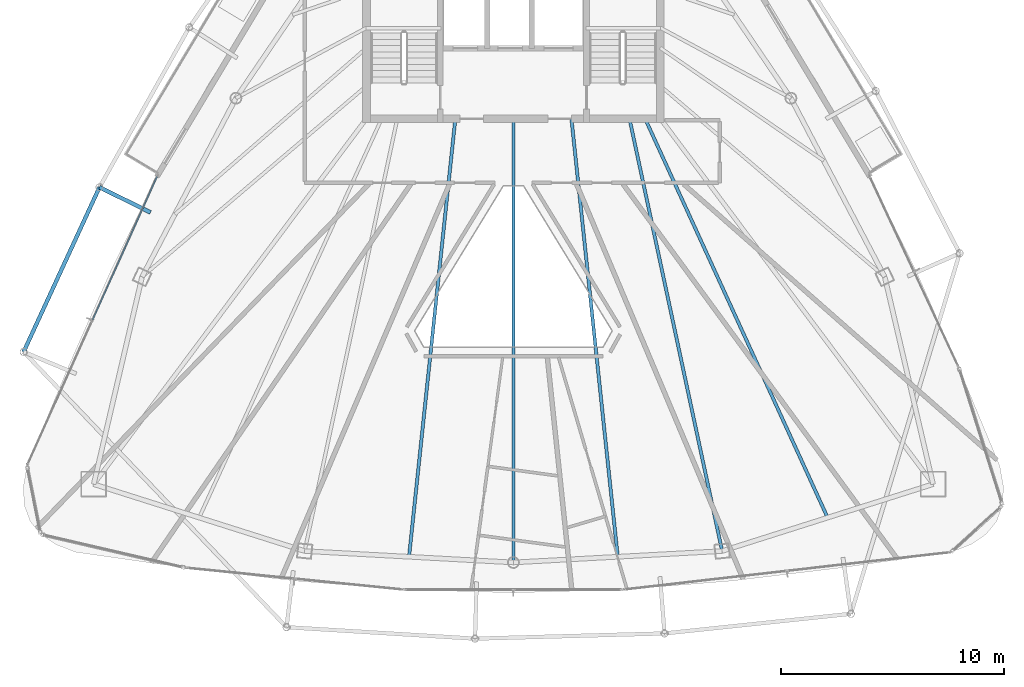
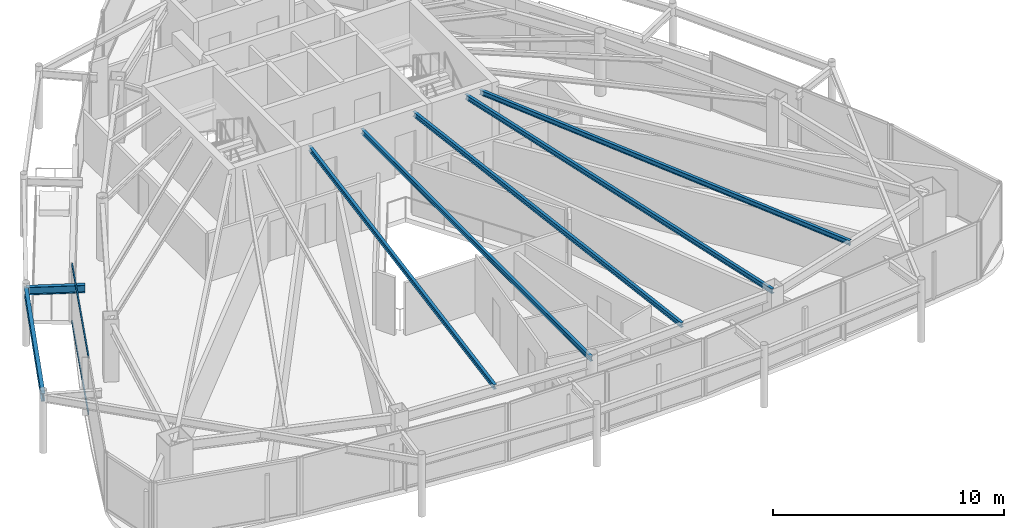
# One storey, part 9 of 28: 7 beams, 2 members, 1 element without a shape of its own.
"""IFC4 building model written with IfcOpenShell, lengths in metres."""

from ifc_helpers import new_model, si_unit, direction, frame, origin, origin_2d, place, context, subcontext, project, spatial, hollow_rectangle, i_section, extrude, material, layer, layer_set, material_profile, profile_set, type_object, element, aggregate, save


model = new_model("IFC4")

# Units and contexts
model_context = context("Model", 3, precision=1e-05, world=origin(), true_north=direction((0.0, 1.0)))
body_context = subcontext(model_context, "Body", "Model", "MODEL_VIEW")
ifc_project = project(units=[si_unit("LENGTHUNIT", "METRE"), si_unit("AREAUNIT", "SQUARE_METRE"), si_unit("VOLUMEUNIT", "CUBIC_METRE"), si_unit("PLANEANGLEUNIT", "RADIAN"), si_unit("MASSUNIT", "GRAM", prefix="KILO")], contexts=[model_context])

# Site, building, storey
site_placement = place(None, origin())
site = spatial("IfcSite", under=ifc_project, at=site_placement, CompositionType="ELEMENT")
building_placement = place(site_placement, origin())
building = spatial("IfcBuilding", under=site, at=building_placement, Name="Orvanel Arch Residences", CompositionType="ELEMENT")
storey_placement = place(building_placement, frame((0.0, 0.0, 263.449951171875)))
storey = spatial("IfcBuildingStorey", under=building, at=storey_placement, Name="L75", CompositionType="ELEMENT", Elevation=263.449951171875)

# Beams
ifc_material_1 = material(Name="Structural steel AS/NZS 3679.1 Grade 300 (300 MPa)", Category="steel")
ifc_material_profile_1 = material_profile(ifc_material_1, i_section(OverallWidth=0.14599609375, OverallDepth=0.251953125, WebThickness=0.006103515625, FlangeThickness=0.008544921875, at=origin_2d()), Name="250UB31.4")
ifc_profile_set_1 = profile_set([ifc_material_profile_1], Name="Structural steel AS/NZS 3679.1 Grade 300 (300 MPa)")
beam_type_1 = type_object("IfcBeamType", Name="BJ-250UB", PredefinedType="JOIST", material=ifc_profile_set_1)
beam_1_placement = place(storey_placement, frame((38.199951171875, 26.72509765625, 2.93408203125), z_axis=(0.209547604985, -0.977798446125, 0.0), x_axis=(0.977798446125, 0.209547604985, 0.0)))
element("IfcBeam", 1, at=beam_1_placement, inside=storey, type_object=beam_type_1, Name="L75 SE Wing Floor Joist", PredefinedType="JOIST", context=body_context, shape_type="SweptSolid", body=[
    extrude(i_section(OverallWidth=0.14599609375, OverallDepth=0.251953125, WebThickness=0.006103515625, FlangeThickness=0.008544921875, at=origin_2d()), origin(), (0.0, 0.0, 1.0), 19.809814453125),
])
beam_2_placement = place(storey_placement, frame((33.0, 26.72509765625, 2.93408203125), z_axis=(0.0, -1.0, 0.0), x_axis=(1.0, 0.0, 0.0)))
element("IfcBeam", 2, at=beam_2_placement, inside=storey, type_object=beam_type_1, Name="L75 SSW Wing Floor Joist", PredefinedType="JOIST", context=body_context, shape_type="SweptSolid", body=[
    extrude(i_section(OverallWidth=0.14599609375, OverallDepth=0.251953125, WebThickness=0.006103515625, FlangeThickness=0.008544921875, at=origin_2d()), origin(), (0.0, 0.0, 1.0), 19.881103515625),
])
for number, where, z_axis, x_axis, name in (
    (3, (30.39990234375, 26.72509765625, 2.93408203125), (-0.105143936131, -0.994457014, 0.0), (0.994457014, -0.105143936131, 0.0), "L75 WSW2 Wing Floor Joist"),
    (4, (35.60009765625, 26.72509765625, 2.93408203125), (0.105143936131, -0.994457014, 0.0), (0.994457014, 0.105143936131, 0.0), "L75 ESE2 Wing Floor Joist"),
):
    element("IfcBeam", number, at=place(storey_placement, frame(where, z_axis=z_axis, x_axis=x_axis)), inside=storey, type_object=beam_type_1, Name=name, PredefinedType="JOIST", context=body_context, shape_type="SweptSolid", body=[
        extrude(i_section(OverallWidth=0.14599609375, OverallDepth=0.251953125, WebThickness=0.006103515625, FlangeThickness=0.008544921875, at=origin_2d()), origin(), (0.0, 0.0, 1.0), 19.734375),
    ])
beam_3_placement = place(storey_placement, frame((38.89990234375, 26.72509765625, 2.93408203125), z_axis=(0.416009574066, -0.909360233508, 0.0), x_axis=(0.909360233508, 0.416009574066, 0.0)))
element("IfcBeam", 5, at=beam_3_placement, inside=storey, type_object=beam_type_1, Name="L75 JADD2 Wing Floor Joist", PredefinedType="JOIST", context=body_context, shape_type="SweptSolid", body=[
    extrude(i_section(OverallWidth=0.14599609375, OverallDepth=0.251953125, WebThickness=0.006103515625, FlangeThickness=0.008544921875, at=origin_2d()), origin(), (0.0, 0.0, 1.0), 19.653564453125),
])
ifc_material_profile_2 = material_profile(ifc_material_1, i_section(OverallWidth=0.177978515625, OverallDepth=0.406005859375, WebThickness=0.0078125, FlangeThickness=0.0126953125, at=origin_2d()), Name="410UB59.7")
ifc_profile_set_2 = profile_set([ifc_material_profile_2], Name="Structural steel AS/NZS 3679.1 Grade 300 (300 MPa)")
beam_type_2 = type_object("IfcBeamType", Name="OB-410UB-EXT", PredefinedType="SPANDREL", material=ifc_profile_set_2)
beam_4_placement = place(storey_placement, frame((16.7451171875, 22.52490234375, 2.85693359375), z_axis=(-0.897243036385, 0.441537012784, 0.0), x_axis=(-0.441537012784, -0.897243036385, 0.0)))
element("IfcBeam", 6, at=beam_4_placement, inside=storey, type_object=beam_type_2, Name="L75 Outer Frame Radial Tie Beam 03", PredefinedType="SPANDREL", context=body_context, shape_type="SweptSolid", body=[
    extrude(i_section(OverallWidth=0.177978515625, OverallDepth=0.406005859375, WebThickness=0.0078125, FlangeThickness=0.0126953125, at=origin_2d()), origin(), (0.0, 0.0, 1.0), 2.550048828125),
])
beam_5_placement = place(storey_placement, frame((14.45703125, 23.65087890625, 2.85693359375), z_axis=(-0.418516546595, -0.908209172067, 0.0), x_axis=(0.908209172067, -0.418516546595, 0.0)))
element("IfcBeam", 7, at=beam_5_placement, inside=storey, type_object=beam_type_2, Name="L75 Outer Perimeter Floor Ring Beam 03", PredefinedType="SPANDREL", context=body_context, shape_type="SweptSolid", body=[
    extrude(i_section(OverallWidth=0.177978515625, OverallDepth=0.406005859375, WebThickness=0.0078125, FlangeThickness=0.0126953125, at=origin_2d()), origin(), (0.0, 0.0, 1.0), 8.119140625),
])

# Curtain wall, members
ifc_material_2 = material(Name="Bronze-anodised aluminium AA6063-T6", Category="aluminium")
ifc_layer = layer(ifc_material_2, 0.175048828125)
ifc_layer_set = layer_set([ifc_layer], Name="Bronze-anodised aluminium AA6063-T6")
curtain_wall_type = type_object("IfcCurtainWallType", Name="CW4-HI-SYS", PredefinedType="NOTDEFINED", material=ifc_layer_set)
curtain_wall_placement = place(storey_placement, origin())
curtain_wall = element("IfcCurtainWall", 8, at=curtain_wall_placement, inside=storey, type_object=curtain_wall_type, Name="L75 CW4-HI-SYS Unitised Curtain Wall", PredefinedType="NOTDEFINED")
ifc_material_profile_3 = material_profile(ifc_material_2, hollow_rectangle(XDim=0.06005859375, YDim=0.1201171875, WallThickness=0.00341796875, at=origin_2d()), Name="ALU120x60x3.5")
ifc_profile_set_3 = profile_set([ifc_material_profile_3], Name="Bronze-anodised aluminium AA6063-T6")
member_type = type_object("IfcMemberType", Name="TRN-120x60", PredefinedType="USERDEFINED", material=ifc_profile_set_3)
member_1_placement = place(storey_placement, frame((17.035400390625, 24.128662109375, 0.030029296875), z_axis=(-0.410081649898, -0.912048814712, 0.0), x_axis=(0.912048814712, -0.410081649898, 0.0)))
member_1 = element("IfcMember", 9, at=member_1_placement, type_object=member_type, Name="CW-S4 transom 1.1", ObjectType="TRANSOM", PredefinedType="USERDEFINED", context=body_context, shape_type="SweptSolid", body=[
    extrude(hollow_rectangle(XDim=0.06005859375, YDim=0.1201171875, WallThickness=0.00341796875, at=origin_2d()), origin(), (0.0, 0.0, 1.0), 7.030517578125),
])
member_2_placement = place(storey_placement, frame((17.035400390625, 24.128662109375, 3.030029296875), z_axis=(-0.410081649898, -0.912048814712, 0.0), x_axis=(0.912048814712, -0.410081649898, 0.0)))
member_2 = element("IfcMember", 10, at=member_2_placement, type_object=member_type, Name="CW-S4 transom 1.2", ObjectType="TRANSOM", PredefinedType="USERDEFINED", context=body_context, shape_type="SweptSolid", body=[
    extrude(hollow_rectangle(XDim=0.06005859375, YDim=0.1201171875, WallThickness=0.00341796875, at=origin_2d()), origin(), (0.0, 0.0, 1.0), 7.030517578125),
])
aggregate(curtain_wall, [member_1, member_2])

save(model, "model.ifc")
